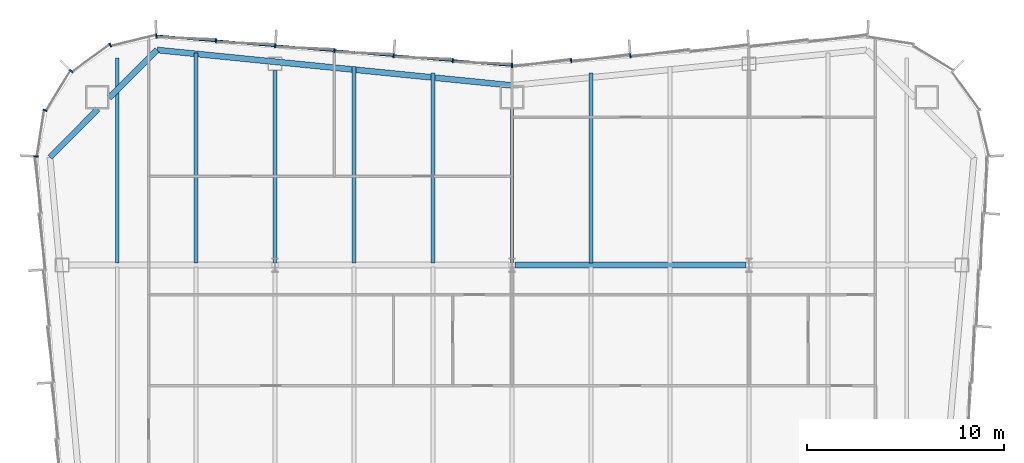
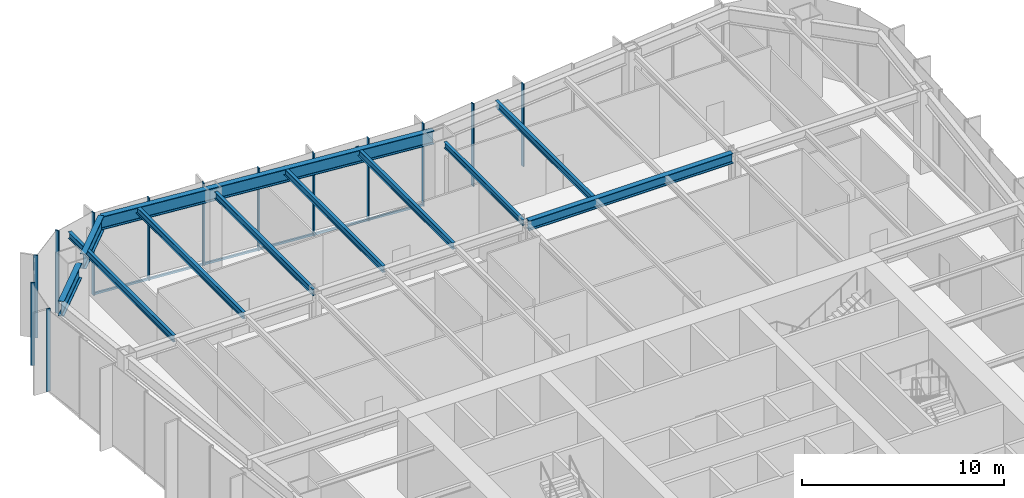
# One storey, part 5 of 15: 14 members, 11 beams, 3 elements without a shape of their own.
"""IFC4 building model written with IfcOpenShell, lengths in metres."""

import ifcopenshell
import ifcopenshell.guid

model = None  # the IFC model being written
_history = None  # IfcOwnerHistory: only IFC2X3 demands one
_inside = {}  # id of a spatial element -> (the spatial element, [elements in it])
_under = {}  # id of a project, library or spatial element -> (it, [spatial elements below it])
_declared = {}  # id of a project -> (the project, [libraries it declares])
_typed = {}  # id of a type object -> (the type object, [elements of that type])
_made_of = {}  # id of a material, layer set ... -> (it, [elements and type objects made of it])


def new_model(schema):
    """Start an empty IFC model of exactly this schema.

    Asked for "IFC4X3", IfcOpenShell would pick the latest addendum, in which some entities
    have other attributes; the version numbers below select the first issue.
    IFC2X3 requires an IfcOwnerHistory on every rooted entity: one is made here for all.
    """
    global model, _history
    if schema == "IFC4X3":
        model = ifcopenshell.file(schema_version=(4, 3, 0, 0))
    else:
        model = ifcopenshell.file(schema=schema)
    _inside.clear()
    _under.clear()
    _declared.clear()
    _typed.clear()
    _made_of.clear()
    _history = None
    if model.schema == "IFC2X3":
        org = make("IfcOrganization", Name="unknown")
        user = make(
            "IfcPersonAndOrganization",
            ThePerson=make("IfcPerson", FamilyName="unknown"),
            TheOrganization=org,
        )
        app = make(
            "IfcApplication",
            ApplicationDeveloper=org,
            Version="unknown",
            ApplicationFullName="unknown",
            ApplicationIdentifier="unknown",
        )
        _history = make(
            "IfcOwnerHistory",
            OwningUser=user,
            OwningApplication=app,
            ChangeAction="ADDED",
            CreationDate=0,
        )
    return model


def make(cls, **values):
    """One entity of the class cls with the attributes given. An attribute that is None is left unset."""
    return model.create_entity(
        cls, **{name: value for name, value in values.items() if value is not None}
    )


def rooted(cls, **values):
    """An entity with a GlobalId (a new one), such as an element, a storey or a relation."""
    return make(cls, GlobalId=ifcopenshell.guid.new(), OwnerHistory=_history, **values)


def si_unit(unit_type, name, prefix=None):
    """IfcSIUnit, for example si_unit("LENGTHUNIT", "METRE", prefix="MILLI")."""
    return make("IfcSIUnit", UnitType=unit_type, Prefix=prefix, Name=name)


def assignment(units):
    """IfcUnitAssignment: the units of a project."""
    return None if units is None else make("IfcUnitAssignment", Units=units)


def point(xyz):
    """IfcCartesianPoint."""
    return None if xyz is None else make("IfcCartesianPoint", Coordinates=xyz)


def direction(xyz):
    """IfcDirection."""
    return None if xyz is None else make("IfcDirection", DirectionRatios=xyz)


def frame(location, z_axis=None, x_axis=None):
    """IfcAxis2Placement3D, a coordinate frame: its origin and axes. An axis left out is left unset."""
    return make(
        "IfcAxis2Placement3D",
        Location=point(location),
        Axis=direction(z_axis),
        RefDirection=direction(x_axis),
    )


def frame_2d(location, x_axis=None):
    """IfcAxis2Placement2D, a coordinate frame in the plane: its origin and x axis."""
    return make(
        "IfcAxis2Placement2D", Location=point(location), RefDirection=direction(x_axis)
    )


def origin():
    """The frame at (0, 0, 0) with its axes left unset."""
    return frame((0.0, 0.0, 0.0))


def origin_2d():
    """The frame at (0, 0) in the plane with its x axis left unset."""
    return frame_2d((0.0, 0.0))


def place(relative_to, where):
    """IfcLocalPlacement: puts the frame where relative to a parent placement (None: the world)."""
    return make(
        "IfcLocalPlacement", PlacementRelTo=relative_to, RelativePlacement=where
    )


def context(
    kind, dimensions, precision=None, world=None, true_north=None, identifier=None
):
    """IfcGeometricRepresentationContext, for example the 3D "Model" context."""
    return make(
        "IfcGeometricRepresentationContext",
        ContextIdentifier=identifier,
        ContextType=kind,
        CoordinateSpaceDimension=dimensions,
        Precision=precision,
        WorldCoordinateSystem=world,
        TrueNorth=true_north,
    )


def subcontext(parent, identifier, kind, view, scale=None):
    """IfcGeometricRepresentationSubContext, for example "Body" below "Model"."""
    return make(
        "IfcGeometricRepresentationSubContext",
        ContextIdentifier=identifier,
        ContextType=kind,
        ParentContext=parent,
        TargetScale=scale,
        TargetView=view,
    )


def project(units=None, contexts=None):
    """IfcProject with its units and contexts."""
    return rooted(
        "IfcProject",
        Name="project",
        RepresentationContexts=contexts,
        UnitsInContext=assignment(units),
    )


def spatial(cls, under=None, at=None, **own):
    """A site, building, storey or space (cls), placed at a placement, below another one or the project."""
    s = rooted(cls, ObjectPlacement=at, **own)
    if under is not None:
        _under.setdefault(under.id(), (under, []))[1].append(s)
    return s


def profile(cls, at=None, kind="AREA", **sizes):
    """A parametric profile (cls). Its sizes go by their IFC names, for example OverallWidth=200.0."""
    return make(cls, ProfileType=kind, Position=at, **sizes)


def rectangle(**sizes):
    """IfcRectangleProfileDef."""
    return profile("IfcRectangleProfileDef", **sizes)


def i_section(**sizes):
    """IfcIShapeProfileDef."""
    return profile("IfcIShapeProfileDef", **sizes)


def extrude(swept, where, along, depth):
    """IfcExtrudedAreaSolid: the profile swept, set in the frame where, extruded along a direction by depth."""
    return make(
        "IfcExtrudedAreaSolid",
        SweptArea=swept,
        Position=where,
        ExtrudedDirection=direction(along),
        Depth=depth,
    )


def shape(context_of_items, identifier, shape_type, items):
    """IfcShapeRepresentation: the items that make up one representation, for example the "Body"."""
    return make(
        "IfcShapeRepresentation",
        ContextOfItems=context_of_items,
        RepresentationIdentifier=identifier,
        RepresentationType=shape_type,
        Items=items,
    )


def material(Name=None, Category=None):
    """IfcMaterial."""
    return make("IfcMaterial", Name=Name, Category=Category)


def material_profile(
    of_material, cross_section, Name=None, Category=None, Priority=None
):
    """IfcMaterialProfile: a cross section and its material."""
    return make(
        "IfcMaterialProfile",
        Name=Name,
        Material=of_material,
        Profile=cross_section,
        Priority=Priority,
        Category=Category,
    )


def profile_set(profiles, Name=None, composite=None):
    """IfcMaterialProfileSet."""
    return make(
        "IfcMaterialProfileSet",
        Name=Name,
        MaterialProfiles=profiles,
        CompositeProfile=composite,
    )


def made_of(thing, what):
    """Note that an element or type object is made of a material, layer set ...; save() writes the relation."""
    if what is not None:
        _made_of.setdefault(what.id(), (what, []))[1].append(thing)
    return thing


def type_object(cls, material=None, **own):
    """A type object (cls), such as IfcWallType, which elements share."""
    return made_of(rooted(cls, **own), material)


def element(
    cls,
    number,
    at=None,
    inside=None,
    cuts=None,
    type_object=None,
    material=None,
    context=None,
    identifier="Body",
    shape_type=None,
    held_by="IfcProductDefinitionShape",
    body=None,
    shapes=None,
    **own,
):
    """One element of the class cls, such as IfcWall. Its Tag is "e" and its number.

    at: its placement. inside: the storey or other place that contains it. cuts: it is an
    opening in that element (IfcRelVoidsElement). A single representation is given by context,
    identifier, shape_type and body (its items); several are given by shapes. held_by: the class
    of the entity that holds the representations. save() writes the other relations.
    """
    e = rooted(cls, Tag="e%d" % number, ObjectPlacement=at, **own)
    if body is not None:
        shapes = [shape(context, identifier, shape_type, body)]
    if shapes is not None:
        e.Representation = make(held_by, Representations=shapes)
    if inside is not None:
        _inside.setdefault(inside.id(), (inside, []))[1].append(e)
    if cuts is not None:
        rooted(
            "IfcRelVoidsElement", RelatingBuildingElement=cuts, RelatedOpeningElement=e
        )
    if type_object is not None:
        _typed.setdefault(type_object.id(), (type_object, []))[1].append(e)
    return made_of(e, material)


def aggregate(whole, parts):
    """IfcRelAggregates: a whole, such as a stair, and the parts it consists of."""
    return rooted("IfcRelAggregates", RelatingObject=whole, RelatedObjects=parts)


def save(model, path):
    """Write the relations noted so far, then the file.

    IfcRelAggregates (storeys below a building ...), IfcRelContainedInSpatialStructure (elements
    in a storey), IfcRelDefinesByType, IfcRelAssociatesMaterial and IfcRelDeclares: one each for
    every whole, place, type object, material and project.
    """
    for whole, parts in _under.values():
        aggregate(whole, parts)
    for where, things in _inside.values():
        rooted(
            "IfcRelContainedInSpatialStructure",
            RelatedElements=things,
            RelatingStructure=where,
        )
    for kind, things in _typed.values():
        rooted("IfcRelDefinesByType", RelatedObjects=things, RelatingType=kind)
    for what, things in _made_of.values():
        rooted("IfcRelAssociatesMaterial", RelatedObjects=things, RelatingMaterial=what)
    for by, libraries in _declared.values():
        rooted("IfcRelDeclares", RelatingContext=by, RelatedDefinitions=libraries)
    model.write(path)


model = new_model("IFC4")

# Units and contexts
model_context = context("Model", 3, precision=1e-05, world=origin(), true_north=direction((0.0, 1.0)))
body_context = subcontext(model_context, "Body", "Model", "MODEL_VIEW")
ifc_project = project(units=[si_unit("LENGTHUNIT", "METRE"), si_unit("AREAUNIT", "SQUARE_METRE"), si_unit("VOLUMEUNIT", "CUBIC_METRE"), si_unit("PLANEANGLEUNIT", "RADIAN"), si_unit("MASSUNIT", "GRAM", prefix="KILO")], contexts=[model_context])

# Site, building, storey
site_placement = place(None, origin())
site = spatial("IfcSite", under=ifc_project, at=site_placement, CompositionType="ELEMENT")
building_placement = place(site_placement, origin())
building = spatial("IfcBuilding", under=site, at=building_placement, Name="Verdant Reach Tower", CompositionType="ELEMENT")
storey_placement = place(building_placement, frame((0.0, 0.0, 121.0)))
storey = spatial("IfcBuildingStorey", under=building, at=storey_placement, Name="L27", CompositionType="ELEMENT", Elevation=121.0)

# Curtain wall, members
ifc_material_1 = material(Name="Anodised aluminium", Category="aluminium")
curtain_wall_type = type_object("IfcCurtainWallType", Name="EN-CW SYSTEM Z2", PredefinedType="NOTDEFINED", material=ifc_material_1)
curtain_wall_1_placement = place(storey_placement, origin())
curtain_wall_1 = element("IfcCurtainWall", 1, at=curtain_wall_1_placement, inside=storey, type_object=curtain_wall_type, Name="Curtain wall north, L27", PredefinedType="NOTDEFINED")
ifc_material_profile_1 = material_profile(ifc_material_1, rectangle(XDim=0.2119140625, YDim=0.06396484375, at=origin_2d()), Name="Mullion 64x212")
ifc_profile_set_1 = profile_set([ifc_material_profile_1], Name="Anodised aluminium")
member_type_1 = type_object("IfcMemberType", Name="EN-MULLION Z2", PredefinedType="MULLION", material=ifc_profile_set_1)
member_1_placement = place(storey_placement, frame((5.9912109375, 60.105712890625, -0.35009765625), z_axis=(0.0, 0.0, 1.0), x_axis=(-0.083045479859, 0.996545758244, 0.0)))
member_1 = element("IfcMember", 2, at=member_1_placement, type_object=member_type_1, Name="Mullion north face part 1 5, L27", PredefinedType="MULLION", context=body_context, shape_type="SweptSolid", body=[
    extrude(rectangle(XDim=0.2119140625, YDim=0.06396484375, at=origin_2d()), origin(), (0.0, 0.0, 1.0), 5.0),
])
member_2_placement = place(storey_placement, frame((2.9912109375, 59.855712890625, -0.35009765625), z_axis=(0.0, 0.0, 1.0), x_axis=(-0.083045479859, 0.996545758244, 0.0)))
member_2 = element("IfcMember", 3, at=member_2_placement, type_object=member_type_1, Name="Mullion north face part 1 6, L27", PredefinedType="MULLION", context=body_context, shape_type="SweptSolid", body=[
    extrude(rectangle(XDim=0.2119140625, YDim=0.06396484375, at=origin_2d()), origin(), (0.0, 0.0, 1.0), 5.0),
])
member_3_placement = place(storey_placement, frame((0.0, 59.60595703125, -0.35009765625), z_axis=(0.0, 0.0, 1.0), x_axis=(0.0, 1.0, 0.0)))
member_3 = element("IfcMember", 4, at=member_3_placement, type_object=member_type_1, Name="Mullion north face part 2 1, L27", PredefinedType="MULLION", context=body_context, shape_type="SweptSolid", body=[
    extrude(rectangle(XDim=0.2119140625, YDim=0.06396484375, at=origin_2d()), origin(), (0.0, 0.0, 1.0), 5.0),
])
member_4_placement = place(storey_placement, frame((-2.9912109375, 59.855712890625, -0.35009765625), z_axis=(0.0, 0.0, 1.0), x_axis=(0.083045479859, 0.996545758244, 0.0)))
member_4 = element("IfcMember", 5, at=member_4_placement, type_object=member_type_1, Name="Mullion north face part 2 2, L27", PredefinedType="MULLION", context=body_context, shape_type="SweptSolid", body=[
    extrude(rectangle(XDim=0.2119140625, YDim=0.06396484375, at=origin_2d()), origin(), (0.0, 0.0, 1.0), 5.0),
])
member_5_placement = place(storey_placement, frame((-5.9912109375, 60.105712890625, -0.35009765625), z_axis=(0.0, 0.0, 1.0), x_axis=(0.083045479859, 0.996545758244, 0.0)))
member_5 = element("IfcMember", 6, at=member_5_placement, type_object=member_type_1, Name="Mullion north face part 2 3, L27", PredefinedType="MULLION", context=body_context, shape_type="SweptSolid", body=[
    extrude(rectangle(XDim=0.2119140625, YDim=0.06396484375, at=origin_2d()), origin(), (0.0, 0.0, 1.0), 5.0),
])
member_6_placement = place(storey_placement, frame((-8.9912109375, 60.355712890625, -0.35009765625), z_axis=(0.0, 0.0, 1.0), x_axis=(0.083045479859, 0.996545758244, 0.0)))
member_6 = element("IfcMember", 7, at=member_6_placement, type_object=member_type_1, Name="Mullion north face part 2 4, L27", PredefinedType="MULLION", context=body_context, shape_type="SweptSolid", body=[
    extrude(rectangle(XDim=0.2119140625, YDim=0.06396484375, at=origin_2d()), origin(), (0.0, 0.0, 1.0), 5.0),
])
member_7_placement = place(storey_placement, frame((-11.9912109375, 60.605712890625, -0.35009765625), z_axis=(0.0, 0.0, 1.0), x_axis=(0.083045479859, 0.996545758244, 0.0)))
member_7 = element("IfcMember", 8, at=member_7_placement, type_object=member_type_1, Name="Mullion north face part 2 5, L27", PredefinedType="MULLION", context=body_context, shape_type="SweptSolid", body=[
    extrude(rectangle(XDim=0.2119140625, YDim=0.06396484375, at=origin_2d()), origin(), (0.0, 0.0, 1.0), 5.0),
])
member_8_placement = place(storey_placement, frame((-14.9912109375, 60.855712890625, -0.35009765625), z_axis=(0.0, 0.0, 1.0), x_axis=(0.083045479859, 0.996545758244, 0.0)))
member_8 = element("IfcMember", 9, at=member_8_placement, type_object=member_type_1, Name="Mullion north face part 2 6, L27", PredefinedType="MULLION", context=body_context, shape_type="SweptSolid", body=[
    extrude(rectangle(XDim=0.2119140625, YDim=0.06396484375, at=origin_2d()), origin(), (0.0, 0.0, 1.0), 5.0),
])

curtain_wall_2_placement = place(storey_placement, origin())
curtain_wall_2 = element("IfcCurtainWall", 10, at=curtain_wall_2_placement, inside=storey, type_object=curtain_wall_type, Name="Curtain wall north-west corner, L27", PredefinedType="NOTDEFINED")
member_9_placement = place(storey_placement, frame((-18.006103515625, 61.105712890625, -0.35009765625), z_axis=(0.0, 0.0, 1.0), x_axis=(-0.056569187765, 0.998398681387, 0.0)))
member_9 = element("IfcMember", 11, at=member_9_placement, type_object=member_type_1, Name="Mullion north-west corner 1, L27", PredefinedType="MULLION", context=body_context, shape_type="SweptSolid", body=[
    extrude(rectangle(XDim=0.2119140625, YDim=0.06396484375, at=origin_2d()), origin(), (0.0, 0.0, 1.0), 5.0),
])
member_10_placement = place(storey_placement, frame((-20.336669921875, 60.64111328125, -0.35009765625), z_axis=(0.0, 0.0, 1.0), x_axis=(-0.382693853776, 0.923875215753, 0.0)))
member_10 = element("IfcMember", 12, at=member_10_placement, type_object=member_type_1, Name="Mullion north-west corner 2, L27", PredefinedType="MULLION", context=body_context, shape_type="SweptSolid", body=[
    extrude(rectangle(XDim=0.2119140625, YDim=0.06396484375, at=origin_2d()), origin(), (0.0, 0.0, 1.0), 5.0),
])
member_11_placement = place(storey_placement, frame((-22.317626953125, 59.317626953125, -0.35009765625), z_axis=(0.0, 0.0, 1.0), x_axis=(-0.707106781187, 0.707106781187, 0.0)))
member_11 = element("IfcMember", 13, at=member_11_placement, type_object=member_type_1, Name="Mullion north-west corner 3, L27", PredefinedType="MULLION", context=body_context, shape_type="SweptSolid", body=[
    extrude(rectangle(XDim=0.2119140625, YDim=0.06396484375, at=origin_2d()), origin(), (0.0, 0.0, 1.0), 5.0),
])
member_12_placement = place(storey_placement, frame((-23.64111328125, 57.336669921875, -0.35009765625), z_axis=(0.0, 0.0, 1.0), x_axis=(-0.923875215753, 0.382693853776, 0.0)))
member_12 = element("IfcMember", 14, at=member_12_placement, type_object=member_type_1, Name="Mullion north-west corner 4, L27", PredefinedType="MULLION", context=body_context, shape_type="SweptSolid", body=[
    extrude(rectangle(XDim=0.2119140625, YDim=0.06396484375, at=origin_2d()), origin(), (0.0, 0.0, 1.0), 5.0),
])
aggregate(curtain_wall_2, [member_9, member_10, member_11, member_12])

# Curtain wall, member
curtain_wall_3_placement = place(storey_placement, origin())
curtain_wall_3 = element("IfcCurtainWall", 15, at=curtain_wall_3_placement, inside=storey, type_object=curtain_wall_type, Name="Curtain wall west, L27", PredefinedType="NOTDEFINED")
member_13_placement = place(storey_placement, frame((-24.105712890625, 55.00634765625, -0.35009765625), z_axis=(0.0, 0.0, 1.0), x_axis=(-0.998155887542, 0.060702752526, 0.0)))
member_13 = element("IfcMember", 16, at=member_13_placement, type_object=member_type_1, Name="Mullion west face part 1 1, L27", PredefinedType="MULLION", context=body_context, shape_type="SweptSolid", body=[
    extrude(rectangle(XDim=0.2119140625, YDim=0.06396484375, at=origin_2d()), origin(), (0.0, 0.0, 1.0), 5.0),
])
aggregate(curtain_wall_3, [member_13])

# Member
ifc_material_profile_2 = material_profile(ifc_material_1, rectangle(XDim=0.10009765625, YDim=0.1240234375, at=origin_2d()), Name="Transom 124x100")
ifc_profile_set_2 = profile_set([ifc_material_profile_2], Name="Anodised aluminium")
member_type_2 = type_object("IfcMemberType", Name="EN-TRANSOM Z2", PredefinedType="USERDEFINED", material=ifc_profile_set_2)
member_14_placement = place(storey_placement, frame((-0.031982421875, 59.608642578125, -0.2880859375), z_axis=(-0.996548282776, 0.083015179915, 0.0), x_axis=(-0.083015179915, -0.996548282776, 0.0)))
member_14 = element("IfcMember", 17, at=member_14_placement, type_object=member_type_2, Name="Transom north face part 2 1.1, L27", ObjectType="TRANSOM", PredefinedType="USERDEFINED", context=body_context, shape_type="SweptSolid", body=[
    extrude(rectangle(XDim=0.10009765625, YDim=0.1240234375, at=origin_2d()), origin(), (0.0, 0.0, 1.0), 18.00439453125),
])

aggregate(curtain_wall_1, [member_1, member_2, member_3, member_4, member_5, member_6, member_7, member_8, member_14])

# Beams
ifc_material_2 = material(Name="Steel S355", Category="steel")
ifc_material_profile_3 = material_profile(ifc_material_2, i_section(OverallWidth=0.300048828125, OverallDepth=0.60009765625, WebThickness=0.015380859375, FlangeThickness=0.030029296875, FilletRadius=0.027099609375, at=origin_2d()), Name="HEB 600")
ifc_profile_set_3 = profile_set([ifc_material_profile_3], Name="Steel S355")
beam_type_1 = type_object("IfcBeamType", Name="ST-BEAM-HEB600", PredefinedType="BEAM", material=ifc_profile_set_3)
beam_1_placement = place(storey_placement, frame((0.154052734375, 49.5, 4.570068359375), z_axis=(1.0, 0.0, 0.0), x_axis=(0.0, 1.0, 0.0)))
element("IfcBeam", 18, at=beam_1_placement, inside=storey, type_object=beam_type_1, Name="Row girder, L27", PredefinedType="BEAM", context=body_context, shape_type="SweptSolid", body=[
    extrude(i_section(OverallWidth=0.300048828125, OverallDepth=0.60009765625, WebThickness=0.015380859375, FlangeThickness=0.030029296875, FilletRadius=0.027099609375, at=origin_2d()), origin(), (0.0, 0.0, 1.0), 11.69189453125),
])
ifc_material_profile_4 = material_profile(ifc_material_2, i_section(OverallWidth=0.169921875, OverallDepth=0.360107421875, WebThickness=0.008056640625, FlangeThickness=0.0126953125, FilletRadius=0.01806640625, at=origin_2d()), Name="IPE 360")
ifc_profile_set_4 = profile_set([ifc_material_profile_4], Name="Steel S355")
beam_type_2 = type_object("IfcBeamType", Name="ST-JOIST-IPE360", PredefinedType="JOIST", material=ifc_profile_set_4)
beam_2_placement = place(storey_placement, frame((0.0, 49.60009765625, 4.68994140625), z_axis=(0.0, 1.0, 0.0), x_axis=(-1.0, 0.0, 0.0)))
element("IfcBeam", 19, at=beam_2_placement, inside=storey, type_object=beam_type_2, Name="Floor joist, L27", PredefinedType="JOIST", context=body_context, shape_type="SweptSolid", body=[
    extrude(i_section(OverallWidth=0.169921875, OverallDepth=0.360107421875, WebThickness=0.008056640625, FlangeThickness=0.0126953125, FilletRadius=0.01806640625, at=origin_2d()), origin(), (0.0, 0.0, 1.0), 7.7998046875),
])
ifc_material_profile_5 = material_profile(ifc_material_2, i_section(OverallWidth=0.179931640625, OverallDepth=0.39990234375, WebThickness=0.008544921875, FlangeThickness=0.013427734375, FilletRadius=0.02099609375, at=origin_2d()), Name="IPE 400")
ifc_profile_set_5 = profile_set([ifc_material_profile_5], Name="Steel S355")
beam_type_3 = type_object("IfcBeamType", Name="ST-JOIST-IPE400", PredefinedType="JOIST", material=ifc_profile_set_5)
beam_3_placement = place(storey_placement, frame((-20.0, 49.60009765625, 4.669921875), z_axis=(0.0, 1.0, 0.0), x_axis=(-1.0, 0.0, 0.0)))
element("IfcBeam", 20, at=beam_3_placement, inside=storey, type_object=beam_type_3, Name="Floor joist, L27", PredefinedType="JOIST", context=body_context, shape_type="SweptSolid", body=[
    extrude(i_section(OverallWidth=0.179931640625, OverallDepth=0.39990234375, WebThickness=0.008544921875, FlangeThickness=0.013427734375, FilletRadius=0.02099609375, at=origin_2d()), origin(), (0.0, 0.0, 1.0), 10.390380859375),
])
beam_4_placement = place(storey_placement, frame((-16.0, 49.60009765625, 4.669921875), z_axis=(0.0, 1.0, 0.0), x_axis=(-1.0, 0.0, 0.0)))
element("IfcBeam", 21, at=beam_4_placement, inside=storey, type_object=beam_type_3, Name="Floor joist, L27", PredefinedType="JOIST", context=body_context, shape_type="SweptSolid", body=[
    extrude(i_section(OverallWidth=0.179931640625, OverallDepth=0.39990234375, WebThickness=0.008544921875, FlangeThickness=0.013427734375, FilletRadius=0.02099609375, at=origin_2d()), origin(), (0.0, 0.0, 1.0), 10.631103515625),
])
beam_5_placement = place(storey_placement, frame((-12.0, 49.60009765625, 4.669921875), z_axis=(0.0, 1.0, 0.0), x_axis=(-1.0, 0.0, 0.0)))
element("IfcBeam", 22, at=beam_5_placement, inside=storey, type_object=beam_type_3, Name="Floor joist, L27", PredefinedType="JOIST", context=body_context, shape_type="SweptSolid", body=[
    extrude(i_section(OverallWidth=0.179931640625, OverallDepth=0.39990234375, WebThickness=0.008544921875, FlangeThickness=0.013427734375, FilletRadius=0.02099609375, at=origin_2d()), origin(), (0.0, 0.0, 1.0), 9.75),
])
beam_6_placement = place(storey_placement, frame((-8.0, 49.60009765625, 4.669921875), z_axis=(0.0, 1.0, 0.0), x_axis=(-1.0, 0.0, 0.0)))
element("IfcBeam", 23, at=beam_6_placement, inside=storey, type_object=beam_type_3, Name="Floor joist, L27", PredefinedType="JOIST", context=body_context, shape_type="SweptSolid", body=[
    extrude(i_section(OverallWidth=0.179931640625, OverallDepth=0.39990234375, WebThickness=0.008544921875, FlangeThickness=0.013427734375, FilletRadius=0.02099609375, at=origin_2d()), origin(), (0.0, 0.0, 1.0), 9.964599609375),
])
for number, where, z_axis, x_axis, name in (
    (24, (-4.0, 49.60009765625, 4.669921875), (0.0, 1.0, 0.0), (-1.0, 0.0, 0.0), "Floor joist, L27"),
    (25, (4.0, 49.60009765625, 4.669921875), (0.0, 1.0, 0.0), (-1.0, 0.0, 0.0), "Floor joist, L27"),
):
    element("IfcBeam", number, at=place(storey_placement, frame(where, z_axis=z_axis, x_axis=x_axis)), inside=storey, type_object=beam_type_3, Name=name, PredefinedType="JOIST", context=body_context, shape_type="SweptSolid", body=[
        extrude(i_section(OverallWidth=0.179931640625, OverallDepth=0.39990234375, WebThickness=0.008544921875, FlangeThickness=0.013427734375, FilletRadius=0.02099609375, at=origin_2d()), origin(), (0.0, 0.0, 1.0), 9.631103515625),
    ])
ifc_material_profile_6 = material_profile(ifc_material_2, i_section(OverallWidth=0.300048828125, OverallDepth=0.800048828125, WebThickness=0.017578125, FlangeThickness=0.032958984375, FilletRadius=0.030029296875, at=origin_2d()), Name="HEB 800")
ifc_profile_set_6 = profile_set([ifc_material_profile_6], Name="Steel S355")
beam_type_4 = type_object("IfcBeamType", Name="ST-SPANDREL-HEB800", PredefinedType="SPANDREL", material=ifc_profile_set_6)
beam_7_placement = place(storey_placement, frame((-17.9658203125, 60.39501953125, 4.469970703125), z_axis=(0.995046289869, -0.099412680371, 0.0), x_axis=(0.099412680371, 0.995046289869, 0.0)))
element("IfcBeam", 26, at=beam_7_placement, inside=storey, type_object=beam_type_4, Name="Edge beam, L27", PredefinedType="SPANDREL", context=body_context, shape_type="SweptSolid", body=[
    extrude(i_section(OverallWidth=0.300048828125, OverallDepth=0.800048828125, WebThickness=0.017578125, FlangeThickness=0.032958984375, FilletRadius=0.030029296875, at=origin_2d()), origin(), (0.0, 0.0, 1.0), 18.05517578125),
])
ifc_material_profile_7 = material_profile(ifc_material_2, i_section(OverallWidth=0.302001953125, OverallDepth=0.909912109375, WebThickness=0.02099609375, FlangeThickness=0.0400390625, FilletRadius=0.030029296875, at=origin_2d()), Name="HEM 900")
ifc_profile_set_7 = profile_set([ifc_material_profile_7], Name="Steel S355")
beam_type_5 = type_object("IfcBeamType", Name="ST-SPANDREL-HEM900", PredefinedType="SPANDREL", material=ifc_profile_set_7)
beam_8_placement = place(storey_placement, frame((-23.3955078125, 54.963134765625, 4.4150390625), z_axis=(0.706965048022, 0.707248485948, 0.0), x_axis=(-0.707248485948, 0.706965048022, 0.0)))
element("IfcBeam", 27, at=beam_8_placement, inside=storey, type_object=beam_type_5, Name="Edge beam, L27", PredefinedType="SPANDREL", context=body_context, shape_type="SweptSolid", body=[
    extrude(i_section(OverallWidth=0.302001953125, OverallDepth=0.909912109375, WebThickness=0.02099609375, FlangeThickness=0.0400390625, FilletRadius=0.030029296875, at=origin_2d()), origin(), (0.0, 0.0, 1.0), 3.4453125),
])
beam_9_placement = place(storey_placement, frame((-20.39990234375, 57.9599609375, 4.4150390625), z_axis=(0.70696494852, 0.70724858541, 0.0), x_axis=(-0.70724858541, 0.70696494852, 0.0)))
element("IfcBeam", 28, at=beam_9_placement, inside=storey, type_object=beam_type_5, Name="Edge beam, L27", PredefinedType="SPANDREL", context=body_context, shape_type="SweptSolid", body=[
    extrude(i_section(OverallWidth=0.302001953125, OverallDepth=0.909912109375, WebThickness=0.02099609375, FlangeThickness=0.0400390625, FilletRadius=0.030029296875, at=origin_2d()), origin(), (0.0, 0.0, 1.0), 3.443115234375),
])

save(model, "model.ifc")
